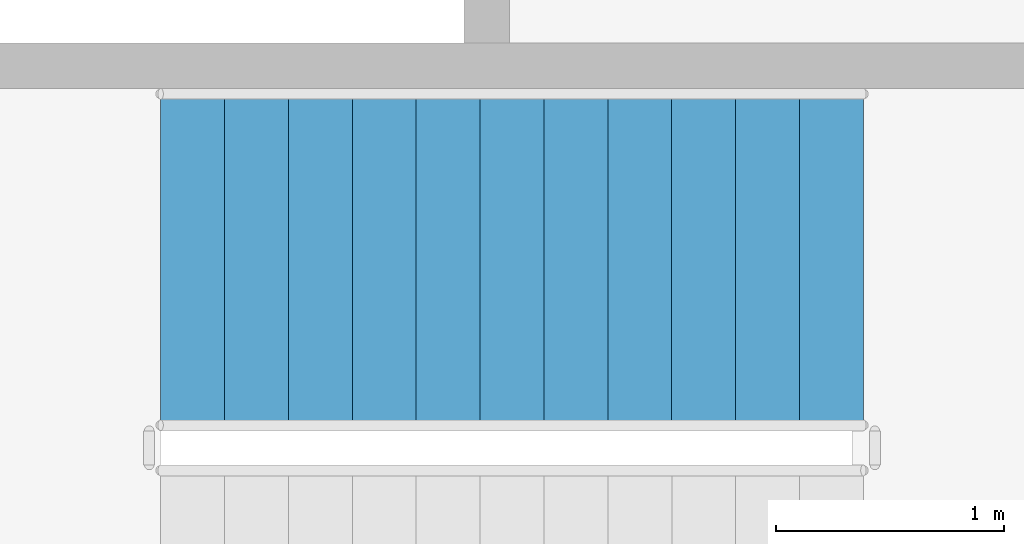
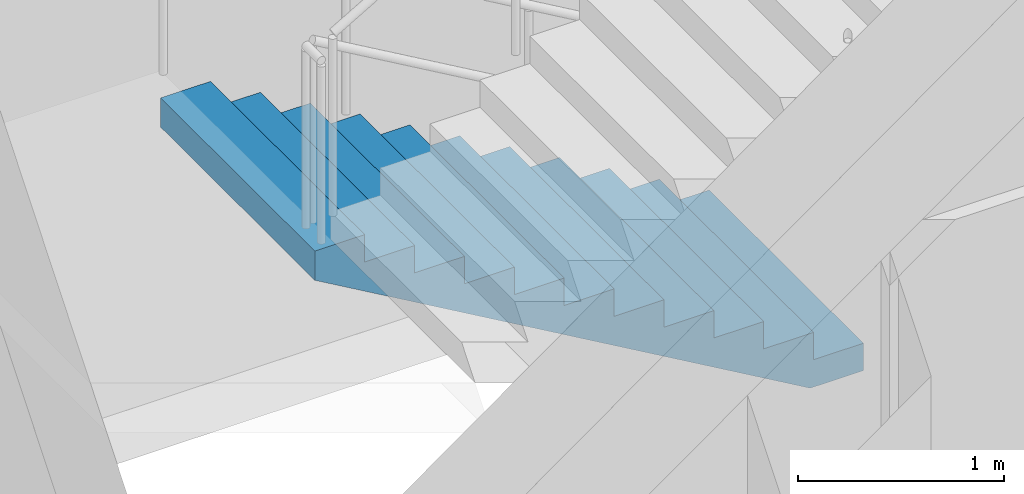
# One storey, part 12 of 17: 1 stair flight, 1 element without a shape of its own.
"""IFC4 building model written with IfcOpenShell, lengths in metres."""

import ifcopenshell
import ifcopenshell.guid

model = None  # the IFC model being written
_history = None  # IfcOwnerHistory: only IFC2X3 demands one
_inside = {}  # id of a spatial element -> (the spatial element, [elements in it])
_under = {}  # id of a project, library or spatial element -> (it, [spatial elements below it])
_declared = {}  # id of a project -> (the project, [libraries it declares])
_typed = {}  # id of a type object -> (the type object, [elements of that type])
_made_of = {}  # id of a material, layer set ... -> (it, [elements and type objects made of it])


def new_model(schema):
    """Start an empty IFC model of exactly this schema.

    Asked for "IFC4X3", IfcOpenShell would pick the latest addendum, in which some entities
    have other attributes; the version numbers below select the first issue.
    IFC2X3 requires an IfcOwnerHistory on every rooted entity: one is made here for all.
    """
    global model, _history
    if schema == "IFC4X3":
        model = ifcopenshell.file(schema_version=(4, 3, 0, 0))
    else:
        model = ifcopenshell.file(schema=schema)
    _inside.clear()
    _under.clear()
    _declared.clear()
    _typed.clear()
    _made_of.clear()
    _history = None
    if model.schema == "IFC2X3":
        org = make("IfcOrganization", Name="unknown")
        user = make(
            "IfcPersonAndOrganization",
            ThePerson=make("IfcPerson", FamilyName="unknown"),
            TheOrganization=org,
        )
        app = make(
            "IfcApplication",
            ApplicationDeveloper=org,
            Version="unknown",
            ApplicationFullName="unknown",
            ApplicationIdentifier="unknown",
        )
        _history = make(
            "IfcOwnerHistory",
            OwningUser=user,
            OwningApplication=app,
            ChangeAction="ADDED",
            CreationDate=0,
        )
    return model


def make(cls, **values):
    """One entity of the class cls with the attributes given. An attribute that is None is left unset."""
    return model.create_entity(
        cls, **{name: value for name, value in values.items() if value is not None}
    )


def rooted(cls, **values):
    """An entity with a GlobalId (a new one), such as an element, a storey or a relation."""
    return make(cls, GlobalId=ifcopenshell.guid.new(), OwnerHistory=_history, **values)


def si_unit(unit_type, name, prefix=None):
    """IfcSIUnit, for example si_unit("LENGTHUNIT", "METRE", prefix="MILLI")."""
    return make("IfcSIUnit", UnitType=unit_type, Prefix=prefix, Name=name)


def assignment(units):
    """IfcUnitAssignment: the units of a project."""
    return None if units is None else make("IfcUnitAssignment", Units=units)


def point(xyz):
    """IfcCartesianPoint."""
    return None if xyz is None else make("IfcCartesianPoint", Coordinates=xyz)


def direction(xyz):
    """IfcDirection."""
    return None if xyz is None else make("IfcDirection", DirectionRatios=xyz)


def frame(location, z_axis=None, x_axis=None):
    """IfcAxis2Placement3D, a coordinate frame: its origin and axes. An axis left out is left unset."""
    return make(
        "IfcAxis2Placement3D",
        Location=point(location),
        Axis=direction(z_axis),
        RefDirection=direction(x_axis),
    )


def origin():
    """The frame at (0, 0, 0) with its axes left unset."""
    return frame((0.0, 0.0, 0.0))


def place(relative_to, where):
    """IfcLocalPlacement: puts the frame where relative to a parent placement (None: the world)."""
    return make(
        "IfcLocalPlacement", PlacementRelTo=relative_to, RelativePlacement=where
    )


def context(
    kind, dimensions, precision=None, world=None, true_north=None, identifier=None
):
    """IfcGeometricRepresentationContext, for example the 3D "Model" context."""
    return make(
        "IfcGeometricRepresentationContext",
        ContextIdentifier=identifier,
        ContextType=kind,
        CoordinateSpaceDimension=dimensions,
        Precision=precision,
        WorldCoordinateSystem=world,
        TrueNorth=true_north,
    )


def subcontext(parent, identifier, kind, view, scale=None):
    """IfcGeometricRepresentationSubContext, for example "Body" below "Model"."""
    return make(
        "IfcGeometricRepresentationSubContext",
        ContextIdentifier=identifier,
        ContextType=kind,
        ParentContext=parent,
        TargetScale=scale,
        TargetView=view,
    )


def project(units=None, contexts=None):
    """IfcProject with its units and contexts."""
    return rooted(
        "IfcProject",
        Name="project",
        RepresentationContexts=contexts,
        UnitsInContext=assignment(units),
    )


def spatial(cls, under=None, at=None, **own):
    """A site, building, storey or space (cls), placed at a placement, below another one or the project."""
    s = rooted(cls, ObjectPlacement=at, **own)
    if under is not None:
        _under.setdefault(under.id(), (under, []))[1].append(s)
    return s


def point_list(points):
    """IfcCartesianPointList2D or 3D."""
    cls = (
        "IfcCartesianPointList2D" if len(points[0]) == 2 else "IfcCartesianPointList3D"
    )
    return make(cls, CoordList=points)


def triangles(points, corners, closed=None, point_numbers=None):
    """IfcTriangulatedFaceSet: each triangle names its three corners, points numbered from 1."""
    return make(
        "IfcTriangulatedFaceSet",
        Coordinates=point_list(points),
        Closed=closed,
        CoordIndex=corners,
        PnIndex=point_numbers,
    )


def shape(context_of_items, identifier, shape_type, items):
    """IfcShapeRepresentation: the items that make up one representation, for example the "Body"."""
    return make(
        "IfcShapeRepresentation",
        ContextOfItems=context_of_items,
        RepresentationIdentifier=identifier,
        RepresentationType=shape_type,
        Items=items,
    )


def material(Name=None, Category=None):
    """IfcMaterial."""
    return make("IfcMaterial", Name=Name, Category=Category)


def made_of(thing, what):
    """Note that an element or type object is made of a material, layer set ...; save() writes the relation."""
    if what is not None:
        _made_of.setdefault(what.id(), (what, []))[1].append(thing)
    return thing


def type_object(cls, material=None, **own):
    """A type object (cls), such as IfcWallType, which elements share."""
    return made_of(rooted(cls, **own), material)


def element(
    cls,
    number,
    at=None,
    inside=None,
    cuts=None,
    type_object=None,
    material=None,
    context=None,
    identifier="Body",
    shape_type=None,
    held_by="IfcProductDefinitionShape",
    body=None,
    shapes=None,
    **own,
):
    """One element of the class cls, such as IfcWall. Its Tag is "e" and its number.

    at: its placement. inside: the storey or other place that contains it. cuts: it is an
    opening in that element (IfcRelVoidsElement). A single representation is given by context,
    identifier, shape_type and body (its items); several are given by shapes. held_by: the class
    of the entity that holds the representations. save() writes the other relations.
    """
    e = rooted(cls, Tag="e%d" % number, ObjectPlacement=at, **own)
    if body is not None:
        shapes = [shape(context, identifier, shape_type, body)]
    if shapes is not None:
        e.Representation = make(held_by, Representations=shapes)
    if inside is not None:
        _inside.setdefault(inside.id(), (inside, []))[1].append(e)
    if cuts is not None:
        rooted(
            "IfcRelVoidsElement", RelatingBuildingElement=cuts, RelatedOpeningElement=e
        )
    if type_object is not None:
        _typed.setdefault(type_object.id(), (type_object, []))[1].append(e)
    return made_of(e, material)


def aggregate(whole, parts):
    """IfcRelAggregates: a whole, such as a stair, and the parts it consists of."""
    return rooted("IfcRelAggregates", RelatingObject=whole, RelatedObjects=parts)


def save(model, path):
    """Write the relations noted so far, then the file.

    IfcRelAggregates (storeys below a building ...), IfcRelContainedInSpatialStructure (elements
    in a storey), IfcRelDefinesByType, IfcRelAssociatesMaterial and IfcRelDeclares: one each for
    every whole, place, type object, material and project.
    """
    for whole, parts in _under.values():
        aggregate(whole, parts)
    for where, things in _inside.values():
        rooted(
            "IfcRelContainedInSpatialStructure",
            RelatedElements=things,
            RelatingStructure=where,
        )
    for kind, things in _typed.values():
        rooted("IfcRelDefinesByType", RelatedObjects=things, RelatingType=kind)
    for what, things in _made_of.values():
        rooted("IfcRelAssociatesMaterial", RelatedObjects=things, RelatingMaterial=what)
    for by, libraries in _declared.values():
        rooted("IfcRelDeclares", RelatingContext=by, RelatedDefinitions=libraries)
    model.write(path)


model = new_model("IFC4")

# Units and contexts
model_context = context("Model", 3, precision=1e-05, world=origin(), true_north=direction((0.0, 1.0)))
body_context = subcontext(model_context, "Body", "Model", "MODEL_VIEW")
ifc_project = project(units=[si_unit("LENGTHUNIT", "METRE"), si_unit("AREAUNIT", "SQUARE_METRE"), si_unit("VOLUMEUNIT", "CUBIC_METRE"), si_unit("PLANEANGLEUNIT", "RADIAN"), si_unit("MASSUNIT", "GRAM", prefix="KILO")], contexts=[model_context])

# Site, building, storey
site_placement = place(None, origin())
site = spatial("IfcSite", under=ifc_project, at=site_placement, CompositionType="ELEMENT")
building_placement = place(site_placement, origin())
building = spatial("IfcBuilding", under=site, at=building_placement, Name="Magnolia Steps Interchange", CompositionType="ELEMENT")
storey_placement = place(building_placement, frame((0.0, 0.0, 20.39990234375)))
storey = spatial("IfcBuildingStorey", under=building, at=storey_placement, Name="L05", CompositionType="ELEMENT", Elevation=20.39990234375)

# Stair, stair flight
ifc_material_1 = material(Name="Concrete C40", Category="concrete")
stair_type = type_object("IfcStairType", Name="Exit stair 1500", PredefinedType="HALF_TURN_STAIR", material=ifc_material_1)
stair_placement = place(storey_placement, origin())
stair = element("IfcStair", 1, at=stair_placement, inside=storey, type_object=stair_type, Name="L05 Stair 28", PredefinedType="HALF_TURN_STAIR")
ifc_material_2 = material(Name="Concrete C40", Category="concrete")
stair_flight_type = type_object("IfcStairFlightType", Name="Exit stair flight", PredefinedType="STRAIGHT", material=ifc_material_2)
stair_flight_placement = place(storey_placement, frame((69.14990234375, 99.25, 0.0), z_axis=(0.0, 0.0, 1.0), x_axis=(-1.0, 0.0, 0.0)))
stair_flight = element("IfcStairFlight", 2, at=stair_flight_placement, type_object=stair_flight_type, Name="Stair 28 flight 1", NumberOfRisers=12, NumberOfTreads=11, PredefinedType="STRAIGHT", RiserHeight=0.1625, TreadLength=0.28, context=body_context, shape_type="Tessellation", body=[
    triangles([(0.0, -0.75, 0.0), (0.298583984375, -0.75, 0.0), (3.080078125, -0.75, 1.6142578125), (3.080078125, -0.75, 1.78759765625), (2.800048828125, -0.75, 1.78759765625), (2.800048828125, -0.75, 1.625), (2.52001953125, -0.75, 1.625), (2.52001953125, -0.75, 1.46240234375), (2.239990234375, -0.75, 1.46240234375), (2.239990234375, -0.75, 1.300048828125), (1.9599609375, -0.75, 1.300048828125), (1.9599609375, -0.75, 1.137451171875), (1.679931640625, -0.75, 1.137451171875), (1.679931640625, -0.75, 0.97509765625), (1.39990234375, -0.75, 0.97509765625), (1.39990234375, -0.75, 0.8125), (1.1201171875, -0.75, 0.8125), (1.1201171875, -0.75, 0.64990234375), (0.840087890625, -0.75, 0.64990234375), (0.840087890625, -0.75, 0.487548828125), (0.56005859375, -0.75, 0.487548828125), (0.56005859375, -0.75, 0.324951171875), (0.280029296875, -0.75, 0.324951171875), (0.280029296875, -0.75, 0.16259765625), (0.0, -0.75, 0.16259765625), (0.0, 0.75, 0.0), (0.298583984375, 0.75, 0.0), (3.080078125, 0.75, 1.6142578125), (3.080078125, 0.75, 1.78759765625), (2.800048828125, 0.75, 1.78759765625), (2.800048828125, 0.75, 1.625), (2.52001953125, 0.75, 1.625), (2.52001953125, 0.75, 1.46240234375), (2.239990234375, 0.75, 1.46240234375), (2.239990234375, 0.75, 1.300048828125), (1.9599609375, 0.75, 1.300048828125), (1.9599609375, 0.75, 1.137451171875), (1.679931640625, 0.75, 1.137451171875), (1.679931640625, 0.75, 0.97509765625), (1.39990234375, 0.75, 0.97509765625), (1.39990234375, 0.75, 0.8125), (1.1201171875, 0.75, 0.8125), (1.1201171875, 0.75, 0.64990234375), (0.840087890625, 0.75, 0.64990234375), (0.840087890625, 0.75, 0.487548828125), (0.56005859375, 0.75, 0.487548828125), (0.56005859375, 0.75, 0.324951171875), (0.280029296875, 0.75, 0.324951171875), (0.280029296875, 0.75, 0.16259765625), (0.0, 0.75, 0.16259765625), (0.0, 0.0, 0.0), (0.0, 0.0, 0.0406494140625), (0.0, 0.0, 0.081298828125), (0.0, 0.0, 0.1219482421875), (0.0, 0.0, 0.16259765625), (0.0, -0.05, 0.0), (0.0, -0.05, 0.16259765625), (0.0, 0.05, 0.0), (0.0, 0.05, 0.16259765625), (0.046671549479166664, 0.0, 0.16259765625), (0.09334309895833333, 0.0, 0.16259765625), (0.1400146484375, 0.0, 0.16259765625), (0.18668619791666666, 0.0, 0.16259765625), (0.23335774739583334, 0.0, 0.16259765625), (0.280029296875, 0.0, 0.16259765625), (0.280029296875, -0.05, 0.16259765625), (0.280029296875, 0.05, 0.16259765625), (0.280029296875, 0.0, 0.20318603515625), (0.280029296875, 0.0, 0.2437744140625), (0.280029296875, 0.0, 0.28436279296875), (0.280029296875, 0.0, 0.324951171875), (0.280029296875, -0.05, 0.324951171875), (0.280029296875, 0.05, 0.324951171875), (0.3267008463541667, 0.0, 0.324951171875), (0.3733723958333333, 0.0, 0.324951171875), (0.4200439453125, 0.0, 0.324951171875), (0.46671549479166663, 0.0, 0.324951171875), (0.5133870442708334, 0.0, 0.324951171875), (0.56005859375, 0.0, 0.324951171875), (0.56005859375, -0.05, 0.324951171875), (0.56005859375, 0.05, 0.324951171875), (0.56005859375, 0.0, 0.3656005859375), (0.56005859375, 0.0, 0.40625), (0.56005859375, 0.0, 0.4468994140625), (0.56005859375, 0.0, 0.487548828125), (0.56005859375, -0.05, 0.487548828125), (0.56005859375, 0.05, 0.487548828125), (0.6067301432291666, 0.0, 0.487548828125), (0.6534016927083334, 0.0, 0.487548828125), (0.7000732421875, 0.0, 0.487548828125), (0.7467447916666666, 0.0, 0.487548828125), (0.7934163411458334, 0.0, 0.487548828125), (0.840087890625, 0.0, 0.487548828125), (0.840087890625, -0.05, 0.487548828125), (0.840087890625, 0.05, 0.487548828125), (0.840087890625, 0.0, 0.52813720703125), (0.840087890625, 0.0, 0.5687255859375), (0.840087890625, 0.0, 0.60931396484375), (0.840087890625, 0.0, 0.64990234375), (0.840087890625, -0.05, 0.64990234375), (0.840087890625, 0.05, 0.64990234375), (0.8867594401041666, 0.0, 0.64990234375), (0.9334309895833334, 0.0, 0.64990234375), (0.9801025390625, 0.0, 0.64990234375), (1.0267740885416667, 0.0, 0.64990234375), (1.0734456380208333, 0.0, 0.64990234375), (1.1201171875, 0.0, 0.64990234375), (1.1201171875, -0.05, 0.64990234375), (1.1201171875, 0.05, 0.64990234375), (1.1201171875, 0.0, 0.6905517578125), (1.1201171875, 0.0, 0.731201171875), (1.1201171875, 0.0, 0.7718505859375), (1.1201171875, 0.0, 0.8125), (1.1201171875, -0.05, 0.8125), (1.1201171875, 0.05, 0.8125), (1.1900634765625, 0.0, 0.8125), (1.260009765625, 0.0, 0.8125), (1.3299560546875, 0.0, 0.8125), (1.39990234375, 0.0, 0.8125), (1.39990234375, -0.05, 0.8125), (1.39990234375, 0.05, 0.8125), (1.39990234375, 0.0, 0.8531494140625), (1.39990234375, 0.0, 0.893798828125), (1.39990234375, 0.0, 0.9344482421875), (1.39990234375, 0.0, 0.97509765625), (1.39990234375, -0.05, 0.97509765625), (1.39990234375, 0.05, 0.97509765625), (1.4465738932291667, 0.0, 0.97509765625), (1.4932454427083333, 0.0, 0.97509765625), (1.5399169921875, 0.0, 0.97509765625), (1.5865885416666667, 0.0, 0.97509765625), (1.6332600911458333, 0.0, 0.97509765625), (1.679931640625, 0.0, 0.97509765625), (1.679931640625, -0.05, 0.97509765625), (1.679931640625, 0.05, 0.97509765625), (1.679931640625, 0.0, 1.01568603515625), (1.679931640625, 0.0, 1.0562744140625), (1.679931640625, 0.0, 1.09686279296875), (1.679931640625, 0.0, 1.137451171875), (1.679931640625, -0.05, 1.137451171875), (1.679931640625, 0.05, 1.137451171875), (1.7266031901041667, 0.0, 1.137451171875), (1.7732747395833333, 0.0, 1.137451171875), (1.8199462890625, 0.0, 1.137451171875), (1.8666178385416667, 0.0, 1.137451171875), (1.9132893880208333, 0.0, 1.137451171875), (1.9599609375, 0.0, 1.137451171875), (1.9599609375, -0.05, 1.137451171875), (1.9599609375, 0.05, 1.137451171875), (1.9599609375, 0.0, 1.1781005859375), (1.9599609375, 0.0, 1.21875), (1.9599609375, 0.0, 1.2593994140625), (1.9599609375, 0.0, 1.300048828125), (1.9599609375, -0.05, 1.300048828125), (1.9599609375, 0.05, 1.300048828125), (2.0066324869791665, 0.0, 1.300048828125), (2.0533040364583335, 0.0, 1.300048828125), (2.0999755859375, 0.0, 1.300048828125), (2.1466471354166665, 0.0, 1.300048828125), (2.1933186848958335, 0.0, 1.300048828125), (2.239990234375, 0.0, 1.300048828125), (2.239990234375, -0.05, 1.300048828125), (2.239990234375, 0.05, 1.300048828125), (2.239990234375, 0.0, 1.34063720703125), (2.239990234375, 0.0, 1.3812255859375), (2.239990234375, 0.0, 1.42181396484375), (2.239990234375, 0.0, 1.46240234375), (2.239990234375, -0.05, 1.46240234375), (2.239990234375, 0.05, 1.46240234375), (2.2866617838541665, 0.0, 1.46240234375), (2.3333333333333335, 0.0, 1.46240234375), (2.3800048828125, 0.0, 1.46240234375), (2.4266764322916665, 0.0, 1.46240234375), (2.4733479817708335, 0.0, 1.46240234375), (2.52001953125, 0.0, 1.46240234375), (2.52001953125, -0.05, 1.46240234375), (2.52001953125, 0.05, 1.46240234375), (2.52001953125, 0.0, 1.5030517578125), (2.52001953125, 0.0, 1.543701171875), (2.52001953125, 0.0, 1.5843505859375), (2.52001953125, 0.0, 1.625), (2.52001953125, -0.05, 1.625), (2.52001953125, 0.05, 1.625), (2.5666910807291665, 0.0, 1.625), (2.6133626302083335, 0.0, 1.625), (2.6600341796875, 0.0, 1.625), (2.7067057291666665, 0.0, 1.625), (2.7533772786458335, 0.0, 1.625), (2.800048828125, 0.0, 1.625), (2.800048828125, -0.05, 1.625), (2.800048828125, 0.05, 1.625), (2.800048828125, 0.0, 1.6656494140625), (2.800048828125, 0.0, 1.706298828125), (2.800048828125, 0.0, 1.7469482421875), (2.800048828125, 0.0, 1.78759765625), (2.800048828125, -0.05, 1.78759765625), (2.800048828125, 0.05, 1.78759765625), (2.8467203776041665, 0.0, 1.78759765625), (2.8933919270833335, 0.0, 1.78759765625), (2.9400634765625, 0.0, 1.78759765625), (2.9867350260416665, 0.0, 1.78759765625), (3.0334065755208335, 0.0, 1.78759765625), (3.080078125, 0.0, 1.78759765625), (3.080078125, -0.05, 1.78759765625), (3.080078125, 0.05, 1.78759765625), (3.080078125, 0.0, 1.7442626953125), (3.080078125, 0.0, 1.700927734375), (3.080078125, 0.0, 1.6575927734375), (3.080078125, 0.0, 1.6142578125), (3.080078125, -0.05, 1.6142578125), (3.080078125, 0.05, 1.6142578125), (3.0196108610733696, 0.0, 1.5791652513586956), (2.9591435971467392, 0.0, 1.5440726902173914), (2.898676333220109, 0.0, 1.508980129076087), (2.8382090692934785, 0.0, 1.4738875679347827), (2.7777418053668477, 0.0, 1.4387950067934783), (2.7172745414402173, 0.0, 1.4037024456521738), (2.656807277513587, 0.0, 1.3686098845108696), (2.5963400135869565, 0.0, 1.3335173233695652), (2.535872749660326, 0.0, 1.2984247622282608), (2.475405485733696, 0.0, 1.2633322010869565), (2.4149382218070654, 0.0, 1.228239639945652), (2.3544709578804346, 0.0, 1.193147078804348), (2.294003693953804, 0.0, 1.1580545176630435), (2.233536430027174, 0.0, 1.1229619565217392), (2.1730691661005435, 0.0, 1.0878693953804348), (2.112601902173913, 0.0, 1.0527768342391304), (2.0521346382472827, 0.0, 1.0176842730978262), (1.991667374320652, 0.0, 0.9825917119565217), (1.9312001103940217, 0.0, 0.9474991508152174), (1.8707328464673914, 0.0, 0.9124065896739131), (1.810265582540761, 0.0, 0.8773140285326086), (1.7497983186141304, 0.0, 0.8422214673913043), (1.6893310546875, 0.0, 0.80712890625), (1.6288637907608696, 0.0, 0.7720363451086957), (1.568396526834239, 0.0, 0.7369437839673914), (1.5079292629076086, 0.0, 0.7018512228260869), (1.4474619989809783, 0.0, 0.6667586616847826), (1.386994735054348, 0.0, 0.6316661005434783), (1.3265274711277173, 0.0, 0.5965735394021738), (1.266060207201087, 0.0, 0.5614809782608696), (1.2055929432744565, 0.0, 0.5263884171195652), (1.1451256793478262, 0.0, 0.491295855978261), (1.0846584154211956, 0.0, 0.45620329483695654), (1.0241911514945654, 0.0, 0.4211107336956521), (0.9637238875679346, 0.0, 0.3860181725543479), (0.9032566236413042, 0.0, 0.35092561141304346), (0.8427893597146738, 0.0, 0.315833050271739), (0.7823220957880435, 0.0, 0.2807404891304348), (0.7218548318614131, 0.0, 0.24564792798913038), (0.6613875679347827, 0.0, 0.21055536684782616), (0.6009203040081523, 0.0, 0.17546280570652173), (0.540453040081522, 0.0, 0.1403702445652173), (0.47998577615489113, 0.0, 0.10527768342391308), (0.41951851222826075, 0.0, 0.07018512228260865), (0.3590512483016304, 0.0, 0.035092561141304435), (0.298583984375, 0.0, 0.0), (0.298583984375, -0.05, 0.0), (0.298583984375, 0.05, 0.0), (0.24881998697916666, 0.0, 0.0), (0.19905598958333331, 0.0, 0.0), (0.1492919921875, 0.0, 0.0), (0.09952799479166666, 0.0, 0.0), (0.04976399739583334, 0.0, 0.0)], [[1, 2, 3], [3, 4, 5], [3, 5, 6], [3, 6, 7], [3, 7, 8], [8, 9, 10], [3, 8, 10], [10, 11, 12], [3, 10, 12], [12, 13, 14], [3, 12, 14], [14, 15, 16], [3, 14, 16], [16, 17, 18], [3, 16, 18], [18, 19, 20], [3, 18, 20], [20, 21, 22], [3, 20, 22], [1, 3, 22], [22, 23, 24], [1, 22, 24], [24, 25, 1], [26, 28, 27], [28, 30, 29], [28, 31, 30], [28, 32, 31], [28, 33, 32], [33, 35, 34], [28, 35, 33], [35, 37, 36], [28, 37, 35], [37, 39, 38], [28, 39, 37], [39, 41, 40], [28, 41, 39], [41, 43, 42], [28, 43, 41], [43, 45, 44], [28, 45, 43], [45, 47, 46], [28, 47, 45], [26, 47, 28], [47, 49, 48], [26, 49, 47], [49, 26, 50], [1, 25, 57], [1, 57, 56], [56, 52, 51], [56, 53, 52], [56, 57, 53], [57, 54, 53], [57, 55, 54], [26, 59, 50], [26, 58, 59], [58, 51, 52], [58, 52, 53], [58, 53, 59], [59, 53, 54], [59, 54, 55], [25, 24, 66], [25, 66, 57], [57, 60, 55], [57, 61, 60], [57, 62, 61], [57, 66, 62], [66, 63, 62], [66, 64, 63], [66, 65, 64], [50, 67, 49], [50, 59, 67], [59, 55, 60], [59, 60, 61], [59, 61, 62], [59, 62, 67], [67, 62, 63], [67, 63, 64], [67, 64, 65], [24, 23, 72], [24, 72, 66], [66, 68, 65], [66, 69, 68], [66, 72, 69], [72, 70, 69], [72, 71, 70], [49, 73, 48], [49, 67, 73], [67, 65, 68], [67, 68, 69], [67, 69, 73], [73, 69, 70], [73, 70, 71], [23, 22, 80], [23, 80, 72], [72, 74, 71], [72, 75, 74], [72, 76, 75], [72, 80, 76], [80, 77, 76], [80, 78, 77], [80, 79, 78], [48, 81, 47], [48, 73, 81], [73, 71, 74], [73, 74, 75], [73, 75, 76], [73, 76, 81], [81, 76, 77], [81, 77, 78], [81, 78, 79], [22, 21, 86], [22, 86, 80], [80, 82, 79], [80, 83, 82], [80, 86, 83], [86, 84, 83], [86, 85, 84], [47, 87, 46], [47, 81, 87], [81, 79, 82], [81, 82, 83], [81, 83, 87], [87, 83, 84], [87, 84, 85], [21, 20, 94], [21, 94, 86], [86, 88, 85], [86, 89, 88], [86, 90, 89], [86, 94, 90], [94, 91, 90], [94, 92, 91], [94, 93, 92], [46, 95, 45], [46, 87, 95], [87, 85, 88], [87, 88, 89], [87, 89, 90], [87, 90, 95], [95, 90, 91], [95, 91, 92], [95, 92, 93], [20, 19, 100], [20, 100, 94], [94, 96, 93], [94, 97, 96], [94, 100, 97], [100, 98, 97], [100, 99, 98], [45, 101, 44], [45, 95, 101], [95, 93, 96], [95, 96, 97], [95, 97, 101], [101, 97, 98], [101, 98, 99], [19, 18, 108], [19, 108, 100], [100, 102, 99], [100, 103, 102], [100, 104, 103], [100, 108, 104], [108, 105, 104], [108, 106, 105], [108, 107, 106], [44, 109, 43], [44, 101, 109], [101, 99, 102], [101, 102, 103], [101, 103, 104], [101, 104, 109], [109, 104, 105], [109, 105, 106], [109, 106, 107], [18, 17, 114], [18, 114, 108], [108, 110, 107], [108, 111, 110], [108, 114, 111], [114, 112, 111], [114, 113, 112], [43, 115, 42], [43, 109, 115], [109, 107, 110], [109, 110, 111], [109, 111, 115], [115, 111, 112], [115, 112, 113], [17, 16, 120], [17, 120, 114], [114, 116, 113], [114, 117, 116], [114, 120, 117], [120, 118, 117], [120, 119, 118], [42, 121, 41], [42, 115, 121], [115, 113, 116], [115, 116, 117], [115, 117, 121], [121, 117, 118], [121, 118, 119], [16, 15, 126], [16, 126, 120], [120, 122, 119], [120, 123, 122], [120, 126, 123], [126, 124, 123], [126, 125, 124], [41, 127, 40], [41, 121, 127], [121, 119, 122], [121, 122, 123], [121, 123, 127], [127, 123, 124], [127, 124, 125], [15, 14, 134], [15, 134, 126], [126, 128, 125], [126, 129, 128], [126, 130, 129], [126, 134, 130], [134, 131, 130], [134, 132, 131], [134, 133, 132], [40, 135, 39], [40, 127, 135], [127, 125, 128], [127, 128, 129], [127, 129, 130], [127, 130, 135], [135, 130, 131], [135, 131, 132], [135, 132, 133], [14, 13, 140], [14, 140, 134], [134, 136, 133], [134, 137, 136], [134, 140, 137], [140, 138, 137], [140, 139, 138], [39, 141, 38], [39, 135, 141], [135, 133, 136], [135, 136, 137], [135, 137, 141], [141, 137, 138], [141, 138, 139], [13, 12, 148], [13, 148, 140], [140, 142, 139], [140, 143, 142], [140, 144, 143], [140, 148, 144], [148, 145, 144], [148, 146, 145], [148, 147, 146], [38, 149, 37], [38, 141, 149], [141, 139, 142], [141, 142, 143], [141, 143, 144], [141, 144, 149], [149, 144, 145], [149, 145, 146], [149, 146, 147], [12, 11, 154], [12, 154, 148], [148, 150, 147], [148, 151, 150], [148, 154, 151], [154, 152, 151], [154, 153, 152], [37, 155, 36], [37, 149, 155], [149, 147, 150], [149, 150, 151], [149, 151, 155], [155, 151, 152], [155, 152, 153], [11, 10, 162], [11, 162, 154], [154, 156, 153], [154, 157, 156], [154, 158, 157], [154, 162, 158], [162, 159, 158], [162, 160, 159], [162, 161, 160], [36, 163, 35], [36, 155, 163], [155, 153, 156], [155, 156, 157], [155, 157, 158], [155, 158, 163], [163, 158, 159], [163, 159, 160], [163, 160, 161], [10, 9, 168], [10, 168, 162], [162, 164, 161], [162, 165, 164], [162, 168, 165], [168, 166, 165], [168, 167, 166], [35, 169, 34], [35, 163, 169], [163, 161, 164], [163, 164, 165], [163, 165, 169], [169, 165, 166], [169, 166, 167], [9, 8, 176], [9, 176, 168], [168, 170, 167], [168, 171, 170], [168, 172, 171], [168, 176, 172], [176, 173, 172], [176, 174, 173], [176, 175, 174], [34, 177, 33], [34, 169, 177], [169, 167, 170], [169, 170, 171], [169, 171, 172], [169, 172, 177], [177, 172, 173], [177, 173, 174], [177, 174, 175], [8, 7, 182], [8, 182, 176], [176, 178, 175], [176, 179, 178], [176, 182, 179], [182, 180, 179], [182, 181, 180], [33, 183, 32], [33, 177, 183], [177, 175, 178], [177, 178, 179], [177, 179, 183], [183, 179, 180], [183, 180, 181], [7, 6, 190], [7, 190, 182], [182, 184, 181], [182, 185, 184], [182, 186, 185], [182, 190, 186], [190, 187, 186], [190, 188, 187], [190, 189, 188], [32, 191, 31], [32, 183, 191], [183, 181, 184], [183, 184, 185], [183, 185, 186], [183, 186, 191], [191, 186, 187], [191, 187, 188], [191, 188, 189], [6, 5, 196], [6, 196, 190], [190, 192, 189], [190, 193, 192], [190, 196, 193], [196, 194, 193], [196, 195, 194], [31, 197, 30], [31, 191, 197], [191, 189, 192], [191, 192, 193], [191, 193, 197], [197, 193, 194], [197, 194, 195], [5, 4, 204], [5, 204, 196], [196, 198, 195], [196, 199, 198], [196, 200, 199], [196, 204, 200], [204, 201, 200], [204, 202, 201], [204, 203, 202], [30, 205, 29], [30, 197, 205], [197, 195, 198], [197, 198, 199], [197, 199, 200], [197, 200, 205], [205, 200, 201], [205, 201, 202], [205, 202, 203], [4, 3, 210], [4, 210, 204], [204, 206, 203], [204, 207, 206], [204, 210, 207], [210, 208, 207], [210, 209, 208], [29, 211, 28], [29, 205, 211], [205, 203, 206], [205, 206, 207], [205, 207, 211], [211, 207, 208], [211, 208, 209], [3, 2, 258], [3, 258, 210], [210, 212, 209], [210, 213, 212], [210, 214, 213], [210, 215, 214], [210, 216, 215], [210, 217, 216], [210, 218, 217], [210, 219, 218], [210, 220, 219], [210, 221, 220], [210, 222, 221], [210, 223, 222], [210, 224, 223], [210, 225, 224], [210, 226, 225], [210, 227, 226], [210, 228, 227], [210, 229, 228], [210, 230, 229], [210, 231, 230], [210, 232, 231], [210, 233, 232], [210, 234, 233], [210, 258, 234], [258, 235, 234], [258, 236, 235], [258, 237, 236], [258, 238, 237], [258, 239, 238], [258, 240, 239], [258, 241, 240], [258, 242, 241], [258, 243, 242], [258, 244, 243], [258, 245, 244], [258, 246, 245], [258, 247, 246], [258, 248, 247], [258, 249, 248], [258, 250, 249], [258, 251, 250], [258, 252, 251], [258, 253, 252], [258, 254, 253], [258, 255, 254], [258, 256, 255], [258, 257, 256], [28, 259, 27], [28, 211, 259], [211, 209, 212], [211, 212, 213], [211, 213, 214], [211, 214, 215], [211, 215, 216], [211, 216, 217], [211, 217, 218], [211, 218, 219], [211, 219, 220], [211, 220, 221], [211, 221, 222], [211, 222, 223], [211, 223, 224], [211, 224, 225], [211, 225, 226], [211, 226, 227], [211, 227, 228], [211, 228, 229], [211, 229, 230], [211, 230, 231], [211, 231, 232], [211, 232, 233], [211, 233, 234], [211, 234, 259], [259, 234, 235], [259, 235, 236], [259, 236, 237], [259, 237, 238], [259, 238, 239], [259, 239, 240], [259, 240, 241], [259, 241, 242], [259, 242, 243], [259, 243, 244], [259, 244, 245], [259, 245, 246], [259, 246, 247], [259, 247, 248], [259, 248, 249], [259, 249, 250], [259, 250, 251], [259, 251, 252], [259, 252, 253], [259, 253, 254], [259, 254, 255], [259, 255, 256], [259, 256, 257], [2, 1, 56], [2, 56, 258], [258, 260, 257], [258, 261, 260], [258, 262, 261], [258, 56, 262], [56, 263, 262], [56, 264, 263], [56, 51, 264], [27, 58, 26], [27, 259, 58], [259, 257, 260], [259, 260, 261], [259, 261, 262], [259, 262, 58], [58, 262, 263], [58, 263, 264], [58, 264, 51]], closed=True),
])
aggregate(stair, [stair_flight])

save(model, "model.ifc")
